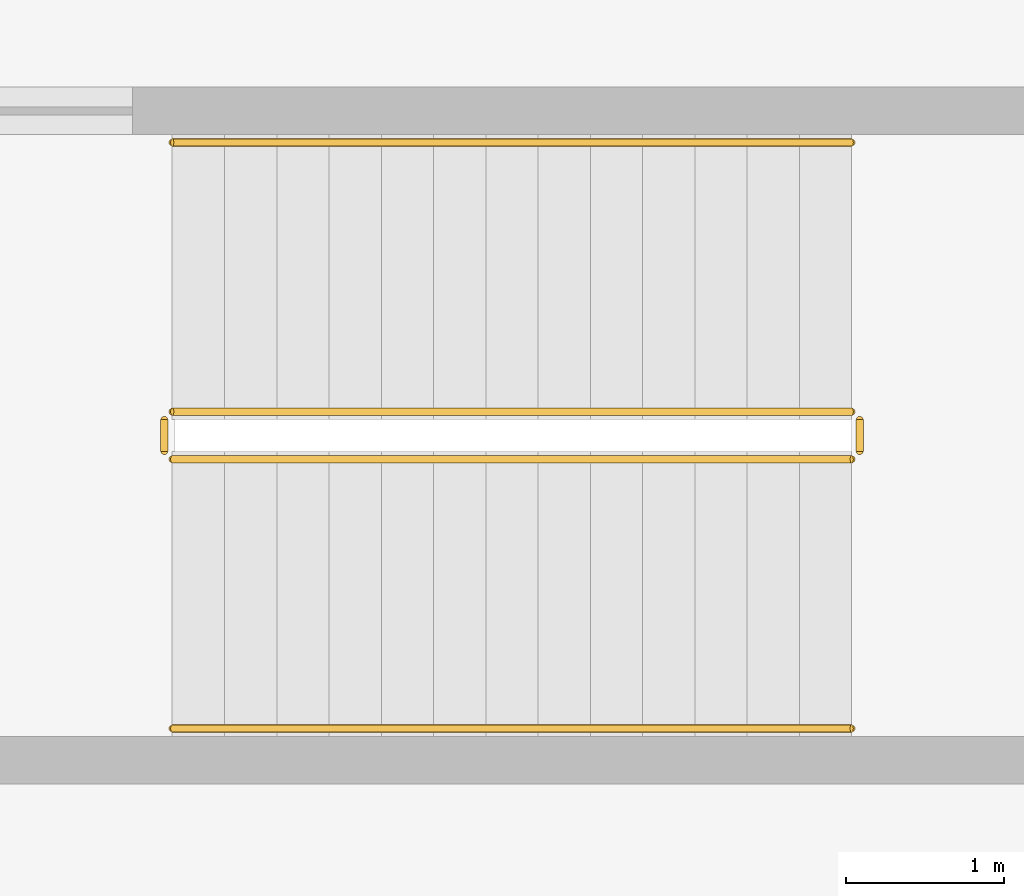
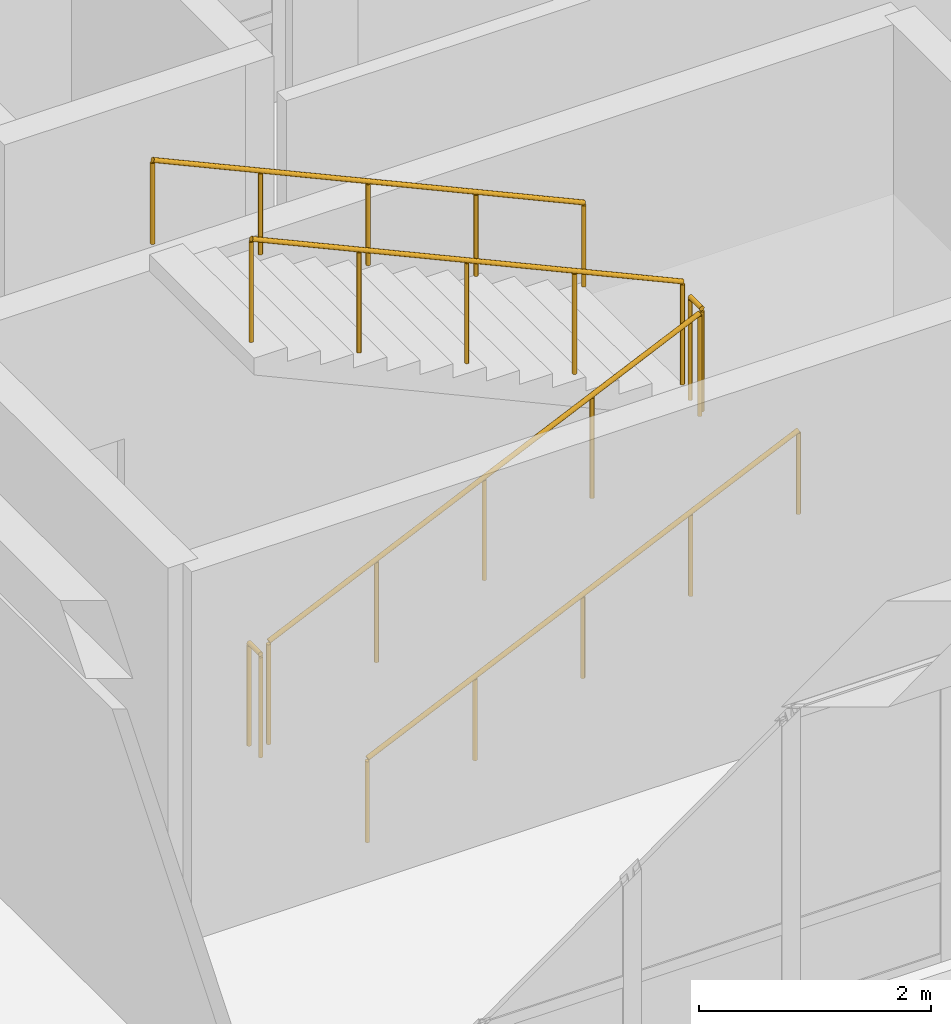
# One storey, part 86 of 89: 6 railings.
"""IFC4 building model written with IfcOpenShell, lengths in metres."""

from ifc_helpers import new_model, si_unit, direction, frame, origin, origin_2d, place, context, subcontext, project, spatial, circle, extrude, material, layer, layer_set, type_object, element, save


model = new_model("IFC4")

# Units and contexts
model_context = context("Model", 3, precision=1e-05, world=origin(), true_north=direction((0.0, 1.0)))
body_context = subcontext(model_context, "Body", "Model", "MODEL_VIEW")
ifc_project = project(units=[si_unit("LENGTHUNIT", "METRE"), si_unit("AREAUNIT", "SQUARE_METRE"), si_unit("VOLUMEUNIT", "CUBIC_METRE"), si_unit("PLANEANGLEUNIT", "RADIAN"), si_unit("MASSUNIT", "GRAM", prefix="KILO")], contexts=[model_context])

# Site, building, storey
site_placement = place(None, origin())
site = spatial("IfcSite", under=ifc_project, at=site_placement, CompositionType="ELEMENT")
building_placement = place(site_placement, origin())
building = spatial("IfcBuilding", under=site, at=building_placement, Name="Malvenik Polytechnic", CompositionType="ELEMENT")
storey_placement = place(building_placement, frame((0.0, 0.0, 13.5)))
storey = spatial("IfcBuildingStorey", under=building, at=storey_placement, Name="L03", CompositionType="ELEMENT", Elevation=13.5)

# Railings
ifc_material_1 = material(Name="Painted galvanised steel stair well balustrade 1100mm", Category="steel")
ifc_layer_1 = layer(ifc_material_1, 0.050048828125)
ifc_layer_set_1 = layer_set([ifc_layer_1], Name="Painted galvanised steel stair well balustrade 1100mm")
railing_type_1 = type_object("IfcRailingType", Name="ARC-RL-STGD", PredefinedType="BALUSTRADE", material=ifc_layer_set_1)
railing_1_placement = place(storey_placement, frame((53.39990234375, 120.89990234375, 0.14990234375)))
element("IfcRailing", 1, at=railing_1_placement, inside=storey, type_object=railing_type_1, Name="L03 ST-02 stair guard 1", PredefinedType="BALUSTRADE", context=body_context, shape_type="SweptSolid", body=[
    extrude(circle(Radius=0.02392578125, at=origin_2d()), frame((0.0, 0.0, 1.076171875), z_axis=(0.910352283233, 0.0, 0.413834170184), x_axis=(0.0, 1.0, 0.0)), (0.0, 0.0, 1.0), 4.71240234375),
    extrude(circle(Radius=0.02099609375, at=origin_2d()), origin(), (0.0, 0.0, 1.0), 1.052001953125),
    extrude(circle(Radius=0.02099609375, at=origin_2d()), frame((1.072509765625, 0.0, 0.487548828125)), (0.0, 0.0, 1.0), 1.052001953125),
    extrude(circle(Radius=0.02099609375, at=origin_2d()), frame((2.14501953125, 0.0, 0.97509765625)), (0.0, 0.0, 1.0), 1.052001953125),
    extrude(circle(Radius=0.02099609375, at=origin_2d()), frame((3.217529296875, 0.0, 1.462646484375)), (0.0, 0.0, 1.0), 1.052001953125),
    extrude(circle(Radius=0.02099609375, at=origin_2d()), frame((4.2900390625, 0.0, 1.9501953125)), (0.0, 0.0, 1.0), 1.052001953125),
])
railing_2_placement = place(storey_placement, frame((57.739990234375, 120.949951171875, 2.10009765625)))
element("IfcRailing", 2, at=railing_2_placement, inside=storey, type_object=railing_type_1, Name="L03 ST-02 stair guard 2", PredefinedType="BALUSTRADE", context=body_context, shape_type="SweptSolid", body=[
    extrude(circle(Radius=0.02392578125, at=origin_2d()), frame((0.0, 0.0, 1.076171875), z_axis=(0.0, 1.0, 0.0), x_axis=(-1.0, 0.0, 0.0)), (0.0, 0.0, 1.0), 0.199951171875),
    extrude(circle(Radius=0.02099609375, at=origin_2d()), origin(), (0.0, 0.0, 1.0), 1.052001953125),
    extrude(circle(Radius=0.02099609375, at=origin_2d()), frame((0.0, 0.199951171875, 0.0)), (0.0, 0.0, 1.0), 1.052001953125),
])
railing_3_placement = place(storey_placement, frame((57.68994140625, 121.199951171875, 2.25)))
element("IfcRailing", 3, at=railing_3_placement, inside=storey, type_object=railing_type_1, Name="L03 ST-02 stair guard 3", PredefinedType="BALUSTRADE", context=body_context, shape_type="SweptSolid", body=[
    extrude(circle(Radius=0.02392578125, at=origin_2d()), frame((0.0, 0.0, 1.076171875), z_axis=(-0.910371800137, 0.0, 0.413791234219), x_axis=(0.0, -1.0, 0.0)), (0.0, 0.0, 1.0), 4.71240234375),
    extrude(circle(Radius=0.02099609375, at=origin_2d()), origin(), (0.0, 0.0, 1.0), 1.052001953125),
    extrude(circle(Radius=0.02099609375, at=origin_2d()), frame((-1.072509765625, 0.0, 0.487548828125)), (0.0, 0.0, 1.0), 1.052001953125),
    extrude(circle(Radius=0.02099609375, at=origin_2d()), frame((-2.14501953125, 0.0, 0.97509765625)), (0.0, 0.0, 1.0), 1.052001953125),
    extrude(circle(Radius=0.02099609375, at=origin_2d()), frame((-3.217529296875, 0.0, 1.46240234375)), (0.0, 0.0, 1.0), 1.052001953125),
    extrude(circle(Radius=0.02099609375, at=origin_2d()), frame((-4.2900390625, 0.0, 1.949951171875)), (0.0, 0.0, 1.0), 1.052001953125),
])
railing_4_placement = place(storey_placement, frame((53.35009765625, 120.949951171875, 0.0)))
element("IfcRailing", 4, at=railing_4_placement, inside=storey, type_object=railing_type_1, Name="L03 ST-02 stair guard 4", PredefinedType="BALUSTRADE", context=body_context, shape_type="SweptSolid", body=[
    extrude(circle(Radius=0.02392578125, at=origin_2d()), frame((0.0, 0.0, 1.076171875), z_axis=(0.0, 1.0, 0.0), x_axis=(-1.0, 0.0, 0.0)), (0.0, 0.0, 1.0), 0.199951171875),
    extrude(circle(Radius=0.02099609375, at=origin_2d()), origin(), (0.0, 0.0, 1.0), 1.052001953125),
    extrude(circle(Radius=0.02099609375, at=origin_2d()), frame((0.0, 0.199951171875, 0.0)), (0.0, 0.0, 1.0), 1.052001953125),
])
ifc_material_2 = material(Name="Brushed stainless steel 1.4301 stair wall handrail", Category="steel")
ifc_layer_2 = layer(ifc_material_2, 0.044921875)
ifc_layer_set_2 = layer_set([ifc_layer_2], Name="Brushed stainless steel 1.4301 stair wall handrail")
railing_type_2 = type_object("IfcRailingType", Name="ARC-RL-STHR", PredefinedType="HANDRAIL", material=ifc_layer_set_2)
railing_5_placement = place(storey_placement, frame((53.39990234375, 119.199951171875, 0.14990234375)))
element("IfcRailing", 5, at=railing_5_placement, inside=storey, type_object=railing_type_2, Name="L03 ST-02 stair handrail 1", PredefinedType="HANDRAIL", context=body_context, shape_type="SweptSolid", body=[
    extrude(circle(Radius=0.02392578125, at=origin_2d()), frame((0.0, 0.0, 0.8759765625), z_axis=(0.910352283233, 0.0, 0.413834170184), x_axis=(0.0, 1.0, 0.0)), (0.0, 0.0, 1.0), 4.71240234375),
    extrude(circle(Radius=0.02099609375, at=origin_2d()), origin(), (0.0, 0.0, 1.0), 0.851806640625),
    extrude(circle(Radius=0.02099609375, at=origin_2d()), frame((1.072509765625, 0.0, 0.487548828125)), (0.0, 0.0, 1.0), 0.851806640625),
    extrude(circle(Radius=0.02099609375, at=origin_2d()), frame((2.14501953125, 0.0, 0.97509765625)), (0.0, 0.0, 1.0), 0.851806640625),
    extrude(circle(Radius=0.02099609375, at=origin_2d()), frame((3.217529296875, 0.0, 1.462646484375)), (0.0, 0.0, 1.0), 0.851806640625),
    extrude(circle(Radius=0.02099609375, at=origin_2d()), frame((4.2900390625, 0.0, 1.9501953125)), (0.0, 0.0, 1.0), 0.851806640625),
])
railing_6_placement = place(storey_placement, frame((57.68994140625, 122.89990234375, 2.25)))
element("IfcRailing", 6, at=railing_6_placement, inside=storey, type_object=railing_type_2, Name="L03 ST-02 stair handrail 2", PredefinedType="HANDRAIL", context=body_context, shape_type="SweptSolid", body=[
    extrude(circle(Radius=0.02392578125, at=origin_2d()), frame((0.0, 0.0, 0.8759765625), z_axis=(-0.910371800137, 0.0, 0.413791234219), x_axis=(0.0, -1.0, 0.0)), (0.0, 0.0, 1.0), 4.71240234375),
    extrude(circle(Radius=0.02099609375, at=origin_2d()), origin(), (0.0, 0.0, 1.0), 0.851806640625),
    extrude(circle(Radius=0.02099609375, at=origin_2d()), frame((-1.072509765625, 0.0, 0.487548828125)), (0.0, 0.0, 1.0), 0.851806640625),
    extrude(circle(Radius=0.02099609375, at=origin_2d()), frame((-2.14501953125, 0.0, 0.97509765625)), (0.0, 0.0, 1.0), 0.851806640625),
    extrude(circle(Radius=0.02099609375, at=origin_2d()), frame((-3.217529296875, 0.0, 1.46240234375)), (0.0, 0.0, 1.0), 0.851806640625),
    extrude(circle(Radius=0.02099609375, at=origin_2d()), frame((-4.2900390625, 0.0, 1.949951171875)), (0.0, 0.0, 1.0), 0.851806640625),
])

save(model, "model.ifc")
